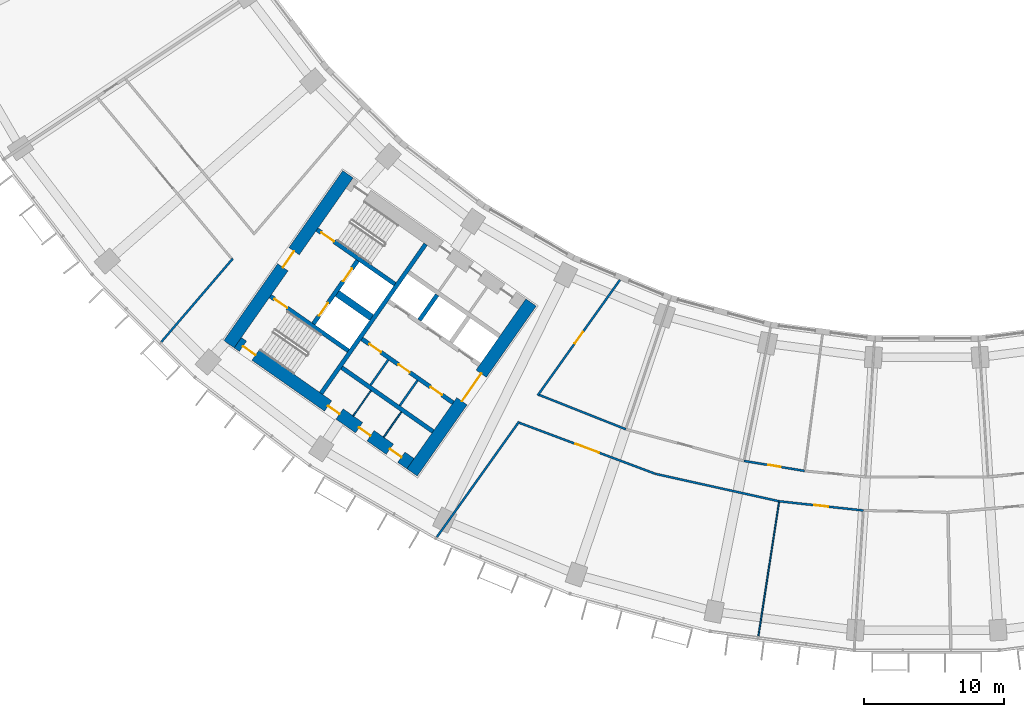
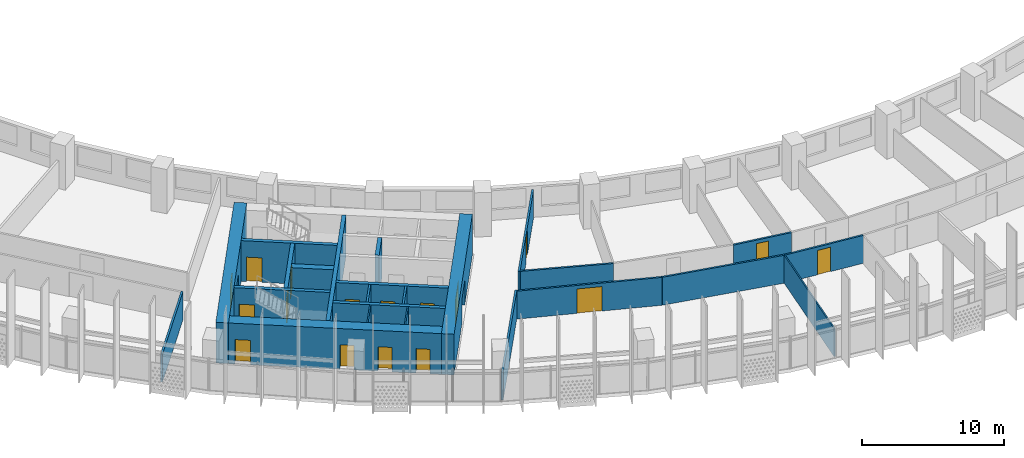
# One storey, part 3 of 30: 24 walls, 17 doors, 17 openings.
"""IFC4 building model written with IfcOpenShell, lengths in metres."""

from ifc_helpers import new_model, si_unit, direction, frame, frame_2d, origin, place, context, subcontext, project, spatial, rectangle, extrude, material, layer, layer_set, type_object, element, fill, save


model = new_model("IFC4")

# Units and contexts
model_context = context("Model", 3, precision=1e-05, world=origin(), true_north=direction((0.0, 1.0)))
body_context = subcontext(model_context, "Body", "Model", "MODEL_VIEW")
ifc_project = project(units=[si_unit("LENGTHUNIT", "METRE"), si_unit("AREAUNIT", "SQUARE_METRE"), si_unit("VOLUMEUNIT", "CUBIC_METRE"), si_unit("PLANEANGLEUNIT", "RADIAN"), si_unit("MASSUNIT", "GRAM", prefix="KILO")], contexts=[model_context])

# Site, building, storey
site_placement = place(None, origin())
site = spatial("IfcSite", under=ifc_project, at=site_placement, CompositionType="ELEMENT")
building_placement = place(site_placement, origin())
building = spatial("IfcBuilding", under=site, at=building_placement, Name="Qamariyya Broadcast Tower", CompositionType="ELEMENT")
storey_placement = place(building_placement, frame((0.0, 0.0, 110.10009765625)))
storey = spatial("IfcBuildingStorey", under=building, at=storey_placement, Name="L24", CompositionType="ELEMENT", Elevation=110.10009765625)

# Wall, opening, door
ifc_material_1 = material(Name="Concrete C70/85", Category="concrete")
ifc_layer_1 = layer(ifc_material_1, 0.89990234375)
ifc_layer_set_1 = layer_set([ifc_layer_1], Name="Core wall 900 mm Concrete C70/85")
wall_type_1 = type_object("IfcWallType", Name="Core wall 900 mm Concrete C70/85", PredefinedType="SHEAR", material=ifc_layer_set_1)
wall_1_placement = place(storey_placement, frame((-36.716796875, -66.3369140625, 0.0), z_axis=(0.0, 0.0, 1.0), x_axis=(0.573577477574, 0.819151315216, 0.0)))
wall_1 = element("IfcWall", 1, at=wall_1_placement, inside=storey, type_object=wall_type_1, Name="k-W-L24-WA", PredefinedType="SHEAR", context=body_context, shape_type="SweptSolid", body=[
    extrude(rectangle(XDim=14.800048828125, YDim=0.89990234375, at=frame_2d((7.39990234375, 0.0))), origin(), (0.0, 0.0, 1.0), 3.5),
])
opening_1_placement = place(wall_1_placement, frame((6.199951171875, 0.0, 0.0)))
opening_1 = element("IfcOpeningElement", 2, at=opening_1_placement, cuts=wall_1, Name="Opening KD3-W1", PredefinedType="OPENING", context=body_context, shape_type="SweptSolid", body=[
    extrude(rectangle(XDim=2.39990234375, YDim=2.10009765625, at=frame_2d((1.199951171875, 1.050048828125))), frame((0.0, 0.4599609375, 0.0), z_axis=(0.0, -1.0, 0.0), x_axis=(1.0, 0.0, 0.0)), (0.0, 0.0, 1.0), 0.919921875),
])
ifc_material_2 = material(Name="Steel fire-resisting door leaf", Category="steel")
door_type_1 = type_object("IfcDoorType", Name="Lift lobby door KD3", OperationType="DOUBLE_DOOR_SINGLE_SWING", PredefinedType="DOOR", material=ifc_material_2)
door_1_placement = place(opening_1_placement, origin())
door_1 = element("IfcDoor", 3, at=door_1_placement, inside=storey, type_object=door_type_1, Name="k-W-L24-WA-D1", OperationType="DOUBLE_DOOR_SINGLE_SWING", OverallHeight=2.10009765625, OverallWidth=2.39990234375, PredefinedType="DOOR", context=body_context, shape_type="SweptSolid", body=[
    extrude(rectangle(XDim=2.39990234375, YDim=2.10009765625, at=frame_2d((1.199951171875, 1.050048828125))), frame((0.0, 0.02490234375, 0.0), z_axis=(0.0, -1.0, 0.0), x_axis=(1.0, 0.0, 0.0)), (0.0, 0.0, 1.0), 0.050048828125),
])
fill(opening_1, door_1)

wall_2_placement = place(storey_placement, frame((-49.778564453125, -57.191162109375, 0.0), z_axis=(0.0, 0.0, 1.0), x_axis=(0.573577477574, 0.819151315216, 0.0)))
wall_2 = element("IfcWall", 4, at=wall_2_placement, inside=storey, type_object=wall_type_1, Name="k-W-L24-WH", PredefinedType="SHEAR", context=body_context, shape_type="SweptSolid", body=[
    extrude(rectangle(XDim=14.800048828125, YDim=0.89990234375, at=frame_2d((7.39990234375, 0.0))), origin(), (0.0, 0.0, 1.0), 3.5),
])
opening_2_placement = place(wall_2_placement, frame((6.699951171875, 0.0, 0.0)))
opening_2 = element("IfcOpeningElement", 5, at=opening_2_placement, cuts=wall_2, Name="Opening KD2-W1", PredefinedType="OPENING", context=body_context, shape_type="SweptSolid", body=[
    extrude(rectangle(XDim=1.39990234375, YDim=2.10009765625, at=frame_2d((0.699951171875, 1.050048828125))), frame((0.0, 0.4599609375, 0.0), z_axis=(0.0, -1.0, 0.0), x_axis=(1.0, 0.0, 0.0)), (0.0, 0.0, 1.0), 0.919921875),
])
door_type_2 = type_object("IfcDoorType", Name="Fire-fighting lobby door KD2", OperationType="DOUBLE_DOOR_SINGLE_SWING", PredefinedType="DOOR", material=ifc_material_2)
door_2_placement = place(opening_2_placement, origin())
door_2 = element("IfcDoor", 6, at=door_2_placement, inside=storey, type_object=door_type_2, Name="k-W-L24-WH-D16", OperationType="DOUBLE_DOOR_SINGLE_SWING", OverallHeight=2.10009765625, OverallWidth=1.39990234375, PredefinedType="DOOR", context=body_context, shape_type="SweptSolid", body=[
    extrude(rectangle(XDim=1.39990234375, YDim=2.10009765625, at=frame_2d((0.699951171875, 1.050048828125))), frame((0.0, 0.02490234375, 0.0), z_axis=(0.0, -1.0, 0.0), x_axis=(1.0, 0.0, 0.0)), (0.0, 0.0, 1.0), 0.050048828125),
])
fill(opening_2, door_2)

# Wall, openings, doors
wall_3_placement = place(storey_placement, frame((-36.827392578125, -65.710205078125, 0.0), z_axis=(0.0, 0.0, 1.0), x_axis=(-0.819153391756, 0.573574511963, 0.0)))
wall_3 = element("IfcWall", 7, at=wall_3_placement, inside=storey, type_object=wall_type_1, Name="k-W-L24-WO", PredefinedType="SHEAR", context=body_context, shape_type="SweptSolid", body=[
    extrude(rectangle(XDim=15.04541015625, YDim=0.89990234375, at=frame_2d((7.522705078125, 0.0))), origin(), (0.0, 0.0, 1.0), 3.5),
])
opening_3_placement = place(wall_3_placement, frame((0.800048828125, 0.0, 0.0)))
opening_3 = element("IfcOpeningElement", 8, at=opening_3_placement, cuts=wall_3, Name="Opening KD4-W2", PredefinedType="OPENING", context=body_context, shape_type="SweptSolid", body=[
    extrude(rectangle(XDim=1.0, YDim=2.10009765625, at=frame_2d((0.5, 1.050048828125))), frame((0.0, 0.4599609375, 0.0), z_axis=(0.0, -1.0, 0.0), x_axis=(1.0, 0.0, 0.0)), (0.0, 0.0, 1.0), 0.919921875),
])
opening_4_placement = place(wall_3_placement, frame((3.47509765625, 0.0, 0.0)))
opening_4 = element("IfcOpeningElement", 9, at=opening_4_placement, cuts=wall_3, Name="Opening KD4-W3", PredefinedType="OPENING", context=body_context, shape_type="SweptSolid", body=[
    extrude(rectangle(XDim=1.0, YDim=2.10009765625, at=frame_2d((0.5, 1.050048828125))), frame((0.0, 0.4599609375, 0.0), z_axis=(0.0, -1.0, 0.0), x_axis=(1.0, 0.0, 0.0)), (0.0, 0.0, 1.0), 0.919921875),
])
opening_5_placement = place(wall_3_placement, frame((6.175048828125, 0.0, 0.0)))
opening_5 = element("IfcOpeningElement", 10, at=opening_5_placement, cuts=wall_3, Name="Opening KD4-W4", PredefinedType="OPENING", context=body_context, shape_type="SweptSolid", body=[
    extrude(rectangle(XDim=1.0, YDim=2.10009765625, at=frame_2d((0.5, 1.050048828125))), frame((0.0, 0.4599609375, 0.0), z_axis=(0.0, -1.0, 0.0), x_axis=(1.0, 0.0, 0.0)), (0.0, 0.0, 1.0), 0.919921875),
])
opening_6_placement = place(wall_3_placement, frame((13.495361328125, 0.0, 0.0)))
opening_6 = element("IfcOpeningElement", 11, at=opening_6_placement, cuts=wall_3, Name="Opening KD1-W3", PredefinedType="OPENING", context=body_context, shape_type="SweptSolid", body=[
    extrude(rectangle(XDim=1.10009765625, YDim=2.10009765625, at=frame_2d((0.550048828125, 1.050048828125))), frame((0.0, 0.4599609375, 0.0), z_axis=(0.0, -1.0, 0.0), x_axis=(1.0, 0.0, 0.0)), (0.0, 0.0, 1.0), 0.919921875),
])
door_type_3 = type_object("IfcDoorType", Name="Riser and plant door KD4", OperationType="SINGLE_SWING_LEFT", PredefinedType="DOOR", material=ifc_material_2)
door_3_placement = place(opening_3_placement, origin())
door_3 = element("IfcDoor", 12, at=door_3_placement, inside=storey, type_object=door_type_3, Name="k-W-L24-WO-D11", OperationType="SINGLE_SWING_RIGHT", OverallHeight=2.10009765625, OverallWidth=1.0, PredefinedType="DOOR", context=body_context, shape_type="SweptSolid", body=[
    extrude(rectangle(XDim=1.0, YDim=2.10009765625, at=frame_2d((0.5, 1.050048828125))), frame((0.0, 0.02490234375, 0.0), z_axis=(0.0, -1.0, 0.0), x_axis=(1.0, 0.0, 0.0)), (0.0, 0.0, 1.0), 0.050048828125),
])
fill(opening_3, door_3)
door_4_placement = place(opening_4_placement, origin())
door_4 = element("IfcDoor", 13, at=door_4_placement, inside=storey, type_object=door_type_3, Name="k-W-L24-WO-D12", OperationType="SINGLE_SWING_LEFT", OverallHeight=2.10009765625, OverallWidth=1.0, PredefinedType="DOOR", context=body_context, shape_type="SweptSolid", body=[
    extrude(rectangle(XDim=1.0, YDim=2.10009765625, at=frame_2d((0.5, 1.050048828125))), frame((0.0, 0.02490234375, 0.0), z_axis=(0.0, -1.0, 0.0), x_axis=(1.0, 0.0, 0.0)), (0.0, 0.0, 1.0), 0.050048828125),
])
fill(opening_4, door_4)
door_5_placement = place(opening_5_placement, origin())
door_5 = element("IfcDoor", 14, at=door_5_placement, inside=storey, type_object=door_type_3, Name="k-W-L24-WO-D13", OperationType="SINGLE_SWING_RIGHT", OverallHeight=2.10009765625, OverallWidth=1.0, PredefinedType="DOOR", context=body_context, shape_type="SweptSolid", body=[
    extrude(rectangle(XDim=1.0, YDim=2.10009765625, at=frame_2d((0.5, 1.050048828125))), frame((0.0, 0.02490234375, 0.0), z_axis=(0.0, -1.0, 0.0), x_axis=(1.0, 0.0, 0.0)), (0.0, 0.0, 1.0), 0.050048828125),
])
fill(opening_5, door_5)
door_type_4 = type_object("IfcDoorType", Name="Stair door KD1", OperationType="SINGLE_SWING_LEFT", PredefinedType="DOOR", material=ifc_material_2)
door_6_placement = place(opening_6_placement, origin())
door_6 = element("IfcDoor", 15, at=door_6_placement, inside=storey, type_object=door_type_4, Name="k-W-L24-WO-D19", OperationType="SINGLE_SWING_LEFT", OverallHeight=2.10009765625, OverallWidth=1.10009765625, PredefinedType="DOOR", context=body_context, shape_type="SweptSolid", body=[
    extrude(rectangle(XDim=1.10009765625, YDim=2.10009765625, at=frame_2d((0.550048828125, 1.050048828125))), frame((0.0, 0.02490234375, 0.0), z_axis=(0.0, -1.0, 0.0), x_axis=(1.0, 0.0, 0.0)), (0.0, 0.0, 1.0), 0.050048828125),
])
fill(opening_6, door_6)

# Walls
ifc_material_3 = material(Name="Gypsum board partition")
ifc_layer_2 = layer(ifc_material_3, 0.14990234375)
ifc_layer_set_2 = layer_set([ifc_layer_2], Name="Corridor partition 150 EI 60")
wall_type_2 = type_object("IfcWallType", Name="Corridor partition 150 EI 60", PredefinedType="PARTITIONING", material=ifc_layer_set_2)
wall_4_placement = place(storey_placement, frame((-49.498779296875, -51.074951171875, 0.0), z_axis=(0.0, 0.0, 1.0), x_axis=(-0.65099144956, -0.759085062823, 0.0)))
element("IfcWall", 16, at=wall_4_placement, inside=storey, type_object=wall_type_2, Name="Partition L24-005", PredefinedType="PARTITIONING", context=body_context, shape_type="SweptSolid", body=[
    extrude(rectangle(XDim=7.83740234375, YDim=0.14990234375, at=frame_2d((3.918701171875, 0.0))), origin(), (0.0, 0.0, 1.0), 2.39990234375),
])
wall_5_placement = place(storey_placement, frame((-29.083984375, -62.710205078125, 0.0), z_axis=(0.0, 0.0, 1.0), x_axis=(-0.580031092611, -0.814594335608, 0.0)))
element("IfcWall", 17, at=wall_5_placement, inside=storey, type_object=wall_type_2, Name="Partition L24-008", PredefinedType="PARTITIONING", context=body_context, shape_type="SweptSolid", body=[
    extrude(rectangle(XDim=10.126220703125, YDim=0.14990234375, at=frame_2d((5.06298828125, 0.0))), origin(), (0.0, 0.0, 1.0), 2.39990234375),
])

# Wall, opening, door
wall_6_placement = place(storey_placement, frame((-19.373779296875, -66.431884765625, 0.0), z_axis=(0.0, 0.0, 1.0), x_axis=(-0.936236021316, 0.351371758101, 0.0)))
wall_6 = element("IfcWall", 18, at=wall_6_placement, inside=storey, type_object=wall_type_2, Name="Partition L24-009", PredefinedType="PARTITIONING", context=body_context, shape_type="SweptSolid", body=[
    extrude(rectangle(XDim=10.343017578125, YDim=0.14990234375, at=frame_2d((5.17138671875, 0.0))), origin(), (0.0, 0.0, 1.0), 2.39990234375),
])
opening_7_placement = place(wall_6_placement, frame((4.271484375, 0.0, 0.0)))
opening_7 = element("IfcOpeningElement", 19, at=opening_7_placement, cuts=wall_6, Name="Opening L24-D01", PredefinedType="OPENING", context=body_context, shape_type="SweptSolid", body=[
    extrude(rectangle(XDim=1.800048828125, YDim=2.10009765625, at=frame_2d((0.89990234375, 1.050048828125))), frame((0.0, 0.0849609375, 0.0), z_axis=(0.0, -1.0, 0.0), x_axis=(1.0, 0.0, 0.0)), (0.0, 0.0, 1.0), 0.169921875),
])
ifc_material_4 = material(Name="Timber fire door leaf", Category="wood")
door_type_5 = type_object("IfcDoorType", Name="Double fire door 1800 x 2100 FD60", OperationType="NOTDEFINED", PredefinedType="DOOR", material=ifc_material_4)
door_7_placement = place(opening_7_placement, origin())
door_7 = element("IfcDoor", 20, at=door_7_placement, inside=storey, type_object=door_type_5, Name="Door L24-D01", OperationType="DOUBLE_DOOR_SINGLE_SWING", OverallHeight=2.10009765625, OverallWidth=1.800048828125, PredefinedType="DOOR", context=body_context, shape_type="SweptSolid", body=[
    extrude(rectangle(XDim=1.800048828125, YDim=2.10009765625, at=frame_2d((0.89990234375, 1.050048828125))), frame((0.0, 0.02490234375, 0.0), z_axis=(0.0, -1.0, 0.0), x_axis=(1.0, 0.0, 0.0)), (0.0, 0.0, 1.0), 0.050048828125),
])
fill(opening_7, door_7)

# Wall
wall_7_placement = place(storey_placement, frame((-27.640869140625, -60.808837890625, 0.0), z_axis=(0.0, 0.0, 1.0), x_axis=(0.929586380114, -0.368604343308, 0.0)))
element("IfcWall", 21, at=wall_7_placement, inside=storey, type_object=wall_type_2, Name="Partition L24-010", PredefinedType="PARTITIONING", context=body_context, shape_type="SweptSolid", body=[
    extrude(rectangle(XDim=6.635986328125, YDim=0.14990234375, at=frame_2d((3.31787109375, 0.0))), origin(), (0.0, 0.0, 1.0), 2.39990234375),
])

# Wall, opening, door
wall_8_placement = place(storey_placement, frame((-21.8837890625, -52.59765625, 0.0), z_axis=(0.0, 0.0, 1.0), x_axis=(-0.580016763963, -0.814604538118, 0.0)))
wall_8 = element("IfcWall", 22, at=wall_8_placement, inside=storey, type_object=wall_type_2, Name="Partition L24-011", PredefinedType="PARTITIONING", context=body_context, shape_type="SweptSolid", body=[
    extrude(rectangle(XDim=10.12109375, YDim=0.14990234375, at=frame_2d((5.060546875, 0.0))), origin(), (0.0, 0.0, 1.0), 2.39990234375),
])
opening_8_placement = place(wall_8_placement, frame((4.560546875, 0.0, 0.0)))
opening_8 = element("IfcOpeningElement", 23, at=opening_8_placement, cuts=wall_8, Name="Opening L24-D08", PredefinedType="OPENING", context=body_context, shape_type="SweptSolid", body=[
    extrude(rectangle(XDim=1.0, YDim=2.10009765625, at=frame_2d((0.5, 1.050048828125))), frame((0.0, 0.0849609375, 0.0), z_axis=(0.0, -1.0, 0.0), x_axis=(1.0, 0.0, 0.0)), (0.0, 0.0, 1.0), 0.169921875),
])
door_type_6 = type_object("IfcDoorType", Name="Fire door 1000 x 2100 FD60", OperationType="NOTDEFINED", PredefinedType="DOOR", material=ifc_material_4)
door_8_placement = place(opening_8_placement, origin())
door_8 = element("IfcDoor", 24, at=door_8_placement, inside=storey, type_object=door_type_6, Name="Door L24-D08", OperationType="SINGLE_SWING_RIGHT", OverallHeight=2.10009765625, OverallWidth=1.0, PredefinedType="DOOR", context=body_context, shape_type="SweptSolid", body=[
    extrude(rectangle(XDim=1.0, YDim=2.10009765625, at=frame_2d((0.5, 1.050048828125))), frame((0.0, 0.02490234375, 0.0), z_axis=(0.0, -1.0, 0.0), x_axis=(1.0, 0.0, 0.0)), (0.0, 0.0, 1.0), 0.050048828125),
])
fill(opening_8, door_8)

# Wall
wall_9_placement = place(storey_placement, frame((-19.35791015625, -66.436767578125, 0.0), z_axis=(0.0, 0.0, 1.0), x_axis=(0.97629238904, -0.216455933396, 0.0)))
element("IfcWall", 25, at=wall_9_placement, inside=storey, type_object=wall_type_2, Name="Partition L24-013", PredefinedType="PARTITIONING", context=body_context, shape_type="SweptSolid", body=[
    extrude(rectangle(XDim=9.04345703125, YDim=0.14990234375, at=frame_2d((4.521728515625, 0.0))), origin(), (0.0, 0.0, 1.0), 2.39990234375),
])

# Wall, opening, door
wall_10_placement = place(storey_placement, frame((-13.031982421875, -65.516357421875, 0.0), z_axis=(0.0, 0.0, 1.0), x_axis=(0.986638873051, -0.162922479065, 0.0)))
wall_10 = element("IfcWall", 26, at=wall_10_placement, inside=storey, type_object=wall_type_2, Name="Partition L24-015", PredefinedType="PARTITIONING", context=body_context, shape_type="SweptSolid", body=[
    extrude(rectangle(XDim=4.37109375, YDim=0.14990234375, at=frame_2d((2.185546875, 0.0))), origin(), (0.0, 0.0, 1.0), 2.39990234375),
])
opening_9_placement = place(wall_10_placement, frame((1.735595703125, 0.0, 0.0)))
opening_9 = element("IfcOpeningElement", 27, at=opening_9_placement, cuts=wall_10, Name="Opening L24-D10", PredefinedType="OPENING", context=body_context, shape_type="SweptSolid", body=[
    extrude(rectangle(XDim=0.89990234375, YDim=2.10009765625, at=frame_2d((0.449951171875, 1.050048828125))), frame((0.0, 0.0849609375, 0.0), z_axis=(0.0, -1.0, 0.0), x_axis=(1.0, 0.0, 0.0)), (0.0, 0.0, 1.0), 0.169921875),
])
door_type_7 = type_object("IfcDoorType", Name="Fire door 900 x 2100 FD60", OperationType="NOTDEFINED", PredefinedType="DOOR", material=ifc_material_4)
door_9_placement = place(opening_9_placement, origin())
door_9 = element("IfcDoor", 28, at=door_9_placement, inside=storey, type_object=door_type_7, Name="Door L24-D10", OperationType="SINGLE_SWING_RIGHT", OverallHeight=2.10009765625, OverallWidth=0.89990234375, PredefinedType="DOOR", context=body_context, shape_type="SweptSolid", body=[
    extrude(rectangle(XDim=0.89990234375, YDim=2.10009765625, at=frame_2d((0.449951171875, 1.050048828125))), frame((0.0, 0.02490234375, 0.0), z_axis=(0.0, -1.0, 0.0), x_axis=(1.0, 0.0, 0.0)), (0.0, 0.0, 1.0), 0.050048828125),
])
fill(opening_9, door_9)

wall_11_placement = place(storey_placement, frame((-4.52587890625, -69.0517578125, 0.0), z_axis=(0.0, 0.0, 1.0), x_axis=(-0.994055567966, 0.108873907782, 0.0)))
wall_11 = element("IfcWall", 29, at=wall_11_placement, inside=storey, type_object=wall_type_2, Name="Partition L24-018", PredefinedType="PARTITIONING", context=body_context, shape_type="SweptSolid", body=[
    extrude(rectangle(XDim=6.038818359375, YDim=0.14990234375, at=frame_2d((3.01953125, 0.0))), origin(), (0.0, 0.0, 1.0), 2.39990234375),
])
opening_10_placement = place(wall_11_placement, frame((2.51953125, 0.0, 0.0)))
opening_10 = element("IfcOpeningElement", 30, at=opening_10_placement, cuts=wall_11, Name="Opening L24-D02", PredefinedType="OPENING", context=body_context, shape_type="SweptSolid", body=[
    extrude(rectangle(XDim=1.0, YDim=2.10009765625, at=frame_2d((0.5, 1.050048828125))), frame((0.0, 0.0849609375, 0.0), z_axis=(0.0, -1.0, 0.0), x_axis=(1.0, 0.0, 0.0)), (0.0, 0.0, 1.0), 0.169921875),
])
door_10_placement = place(opening_10_placement, origin())
door_10 = element("IfcDoor", 31, at=door_10_placement, inside=storey, type_object=door_type_6, Name="Door L24-D02", OperationType="SINGLE_SWING_RIGHT", OverallHeight=2.10009765625, OverallWidth=1.0, PredefinedType="DOOR", context=body_context, shape_type="SweptSolid", body=[
    extrude(rectangle(XDim=1.0, YDim=2.10009765625, at=frame_2d((0.5, 1.050048828125))), frame((0.0, 0.02490234375, 0.0), z_axis=(0.0, -1.0, 0.0), x_axis=(1.0, 0.0, 0.0)), (0.0, 0.0, 1.0), 0.050048828125),
])
fill(opening_10, door_10)

# Walls
ifc_material_5 = material(Name="Concrete C60/75", Category="concrete")
ifc_layer_3 = layer(ifc_material_5, 0.5)
ifc_layer_set_3 = layer_set([ifc_layer_3], Name="Fire-fighting lobby divider wall 500 mm Concrete C60/75")
wall_type_3 = type_object("IfcWallType", Name="Fire-fighting lobby divider wall 500 mm Concrete C60/75", PredefinedType="SOLIDWALL", material=ifc_layer_set_3)
wall_12_placement = place(storey_placement, frame((-39.59912109375, -55.28515625, 0.0), z_axis=(0.0, 0.0, 1.0), x_axis=(-0.819136323161, 0.573598887793, 0.0)))
element("IfcWall", 32, at=wall_12_placement, inside=storey, type_object=wall_type_3, Name="k-W-L24-FD", PredefinedType="SOLIDWALL", context=body_context, shape_type="SweptSolid", body=[
    extrude(rectangle(XDim=2.999755859375, YDim=0.5, at=frame_2d((1.5, 0.0))), origin(), (0.0, 0.0, 1.0), 3.5),
])
ifc_material_6 = material(Name="Gypsum board partition on steel studs", Category="steel")
ifc_layer_4 = layer(ifc_material_6, 0.14990234375)
ifc_layer_set_4 = layer_set([ifc_layer_4], Name="Gypsum board partition 150 mm")
wall_type_4 = type_object("IfcWallType", Name="Gypsum board partition 150 mm", PredefinedType="PARTITIONING", material=ifc_layer_set_4)
for number, where, z_axis, x_axis, name in (
    (33, (-36.330810546875, -59.77099609375, 0.0), (0.0, 0.0, 1.0), (-0.573633636671, -0.819111989218, 0.0), "k-W-L24-SC300"),
    (34, (-38.419677734375, -58.308349609375, 0.0), (0.0, 0.0, 1.0), (-0.573633636671, -0.819111989218, 0.0), "k-W-L24-SC555"),
):
    element("IfcWall", number, at=place(storey_placement, frame(where, z_axis=z_axis, x_axis=x_axis)), inside=storey, type_object=wall_type_4, Name=name, PredefinedType="PARTITIONING", context=body_context, shape_type="SweptSolid", body=[
        extrude(rectangle(XDim=2.199951171875, YDim=0.14990234375, at=frame_2d((1.10009765625, 0.0))), origin(), (0.0, 0.0, 1.0), 3.5),
    ])
ifc_layer_5 = layer(ifc_material_5, 0.300048828125)
ifc_layer_set_5 = layer_set([ifc_layer_5], Name="Lift shaft wall 300 mm Concrete C60/75")
wall_type_5 = type_object("IfcWallType", Name="Lift shaft wall 300 mm Concrete C60/75", PredefinedType="SOLIDWALL", material=ifc_layer_set_5)
wall_13_placement = place(storey_placement, frame((-43.204345703125, -60.69580078125, 0.0), z_axis=(0.0, 0.0, 1.0), x_axis=(0.573571992966, 0.819155155563, 0.0)))
element("IfcWall", 35, at=wall_13_placement, inside=storey, type_object=wall_type_5, Name="k-W-L24-WL", PredefinedType="SOLIDWALL", context=body_context, shape_type="SweptSolid", body=[
    extrude(rectangle(XDim=13.000244140625, YDim=0.300048828125, at=frame_2d((6.5, 0.0))), origin(), (0.0, 0.0, 1.0), 3.5),
])
wall_14_placement = place(storey_placement, frame((-36.19091796875, -55.47412109375, 0.0), z_axis=(0.0, 0.0, 1.0), x_axis=(0.573507030513, 0.819200638399, 0.0)))
element("IfcWall", 36, at=wall_14_placement, inside=storey, type_object=wall_type_5, Name="k-W-L24-ND1", PredefinedType="SOLIDWALL", context=body_context, shape_type="SweptSolid", body=[
    extrude(rectangle(XDim=2.199951171875, YDim=0.300048828125, at=frame_2d((1.10009765625, 0.0))), origin(), (0.0, 0.0, 1.0), 3.5),
])

# Wall, openings, doors
wall_15_placement = place(storey_placement, frame((-33.787353515625, -61.368896484375, 0.0), z_axis=(0.0, 0.0, 1.0), x_axis=(-0.819152564888, 0.573575692858, 0.0)))
wall_15 = element("IfcWall", 37, at=wall_15_placement, inside=storey, type_object=wall_type_5, Name="k-W-L24-SF0", PredefinedType="SOLIDWALL", context=body_context, shape_type="SweptSolid", body=[
    extrude(rectangle(XDim=7.9501953125, YDim=0.300048828125, at=frame_2d((3.97509765625, 0.0))), origin(), (0.0, 0.0, 1.0), 3.5),
])
opening_11_placement = place(wall_15_placement, frame((0.96240234375, 0.0, 0.0)))
opening_11 = element("IfcOpeningElement", 38, at=opening_11_placement, cuts=wall_15, Name="Opening KD6-W1", PredefinedType="OPENING", context=body_context, shape_type="SweptSolid", body=[
    extrude(rectangle(XDim=1.0, YDim=2.10009765625, at=frame_2d((0.5, 1.050048828125))), frame((0.0, 0.159912109375, 0.0), z_axis=(0.0, -1.0, 0.0), x_axis=(1.0, 0.0, 0.0)), (0.0, 0.0, 1.0), 0.320068359375),
])
opening_12_placement = place(wall_15_placement, frame((3.77490234375, 0.0, 0.0)))
opening_12 = element("IfcOpeningElement", 39, at=opening_12_placement, cuts=wall_15, Name="Opening KD4-W1", PredefinedType="OPENING", context=body_context, shape_type="SweptSolid", body=[
    extrude(rectangle(XDim=1.0, YDim=2.10009765625, at=frame_2d((0.5, 1.050048828125))), frame((0.0, 0.159912109375, 0.0), z_axis=(0.0, -1.0, 0.0), x_axis=(1.0, 0.0, 0.0)), (0.0, 0.0, 1.0), 0.320068359375),
])
opening_13_placement = place(wall_15_placement, frame((6.28759765625, 0.0, 0.0)))
opening_13 = element("IfcOpeningElement", 40, at=opening_13_placement, cuts=wall_15, Name="Opening KD6-W2", PredefinedType="OPENING", context=body_context, shape_type="SweptSolid", body=[
    extrude(rectangle(XDim=1.0, YDim=2.10009765625, at=frame_2d((0.5, 1.050048828125))), frame((0.0, 0.159912109375, 0.0), z_axis=(0.0, -1.0, 0.0), x_axis=(1.0, 0.0, 0.0)), (0.0, 0.0, 1.0), 0.320068359375),
])
door_type_8 = type_object("IfcDoorType", Name="Core room door KD6", OperationType="SINGLE_SWING_LEFT", PredefinedType="DOOR", material=ifc_material_2)
door_11_placement = place(opening_11_placement, origin())
door_11 = element("IfcDoor", 41, at=door_11_placement, inside=storey, type_object=door_type_8, Name="k-W-L24-SF0-D5", OperationType="SINGLE_SWING_RIGHT", OverallHeight=2.10009765625, OverallWidth=1.0, PredefinedType="DOOR", context=body_context, shape_type="SweptSolid", body=[
    extrude(rectangle(XDim=1.0, YDim=2.10009765625, at=frame_2d((0.5, 1.050048828125))), frame((0.0, 0.02490234375, 0.0), z_axis=(0.0, -1.0, 0.0), x_axis=(1.0, 0.0, 0.0)), (0.0, 0.0, 1.0), 0.050048828125),
])
fill(opening_11, door_11)
door_12_placement = place(opening_13_placement, origin())
door_12 = element("IfcDoor", 42, at=door_12_placement, inside=storey, type_object=door_type_8, Name="k-W-L24-SF0-D7", OperationType="SINGLE_SWING_RIGHT", OverallHeight=2.10009765625, OverallWidth=1.0, PredefinedType="DOOR", context=body_context, shape_type="SweptSolid", body=[
    extrude(rectangle(XDim=1.0, YDim=2.10009765625, at=frame_2d((0.5, 1.050048828125))), frame((0.0, 0.02490234375, 0.0), z_axis=(0.0, -1.0, 0.0), x_axis=(1.0, 0.0, 0.0)), (0.0, 0.0, 1.0), 0.050048828125),
])
fill(opening_13, door_12)
door_13_placement = place(opening_12_placement, origin())
door_13 = element("IfcDoor", 43, at=door_13_placement, inside=storey, type_object=door_type_3, Name="k-W-L24-SF0-D6", OperationType="SINGLE_SWING_LEFT", OverallHeight=2.10009765625, OverallWidth=1.0, PredefinedType="DOOR", context=body_context, shape_type="SweptSolid", body=[
    extrude(rectangle(XDim=1.0, YDim=2.10009765625, at=frame_2d((0.5, 1.050048828125))), frame((0.0, 0.02490234375, 0.0), z_axis=(0.0, -1.0, 0.0), x_axis=(1.0, 0.0, 0.0)), (0.0, 0.0, 1.0), 0.050048828125),
])
fill(opening_12, door_13)

# Wall
wall_16_placement = place(storey_placement, frame((-35.22119140625, -63.41650390625, 0.0), z_axis=(0.0, 0.0, 1.0), x_axis=(-0.819166993208, 0.573555086491, 0.0)))
element("IfcWall", 44, at=wall_16_placement, inside=storey, type_object=wall_type_5, Name="k-W-L24-SB0", PredefinedType="SOLIDWALL", context=body_context, shape_type="SweptSolid", body=[
    extrude(rectangle(XDim=7.9501953125, YDim=0.300048828125, at=frame_2d((3.97509765625, 0.0))), origin(), (0.0, 0.0, 1.0), 3.5),
])

# Wall, opening, door
wall_17_placement = place(storey_placement, frame((-37.935546875, -52.90966796875, 0.0), z_axis=(0.0, 0.0, 1.0), x_axis=(-0.819147518138, 0.57358290031, 0.0)))
wall_17 = element("IfcWall", 45, at=wall_17_placement, inside=storey, type_object=wall_type_5, Name="k-W-L24-NW", PredefinedType="SOLIDWALL", context=body_context, shape_type="SweptSolid", body=[
    extrude(rectangle(XDim=6.79541015625, YDim=0.300048828125, at=frame_2d((3.397705078125, 0.0))), origin(), (0.0, 0.0, 1.0), 3.5),
])
opening_14_placement = place(wall_17_placement, frame((5.3203125, 0.0, 0.0)))
opening_14 = element("IfcOpeningElement", 46, at=opening_14_placement, cuts=wall_17, Name="Opening KD1-W2", PredefinedType="OPENING", context=body_context, shape_type="SweptSolid", body=[
    extrude(rectangle(XDim=1.10009765625, YDim=2.10009765625, at=frame_2d((0.550048828125, 1.050048828125))), frame((0.0, 0.159912109375, 0.0), z_axis=(0.0, -1.0, 0.0), x_axis=(1.0, 0.0, 0.0)), (0.0, 0.0, 1.0), 0.320068359375),
])
door_14_placement = place(opening_14_placement, origin())
door_14 = element("IfcDoor", 47, at=door_14_placement, inside=storey, type_object=door_type_4, Name="k-W-L24-NW-D18", OperationType="SINGLE_SWING_LEFT", OverallHeight=2.10009765625, OverallWidth=1.10009765625, PredefinedType="DOOR", context=body_context, shape_type="SweptSolid", body=[
    extrude(rectangle(XDim=1.10009765625, YDim=2.10009765625, at=frame_2d((0.550048828125, 1.050048828125))), frame((0.0, 0.02490234375, 0.0), z_axis=(0.0, -1.0, 0.0), x_axis=(1.0, 0.0, 0.0)), (0.0, 0.0, 1.0), 0.050048828125),
])
fill(opening_14, door_14)

wall_18_placement = place(storey_placement, frame((-41.262451171875, -57.66064453125, 0.0), z_axis=(0.0, 0.0, 1.0), x_axis=(-0.819164398642, 0.573558792102, 0.0)))
wall_18 = element("IfcWall", 48, at=wall_18_placement, inside=storey, type_object=wall_type_5, Name="k-W-L24-SW", PredefinedType="SOLIDWALL", context=body_context, shape_type="SweptSolid", body=[
    extrude(rectangle(XDim=6.795166015625, YDim=0.300048828125, at=frame_2d((3.3974609375, 0.0))), origin(), (0.0, 0.0, 1.0), 3.5),
])
opening_15_placement = place(wall_18_placement, frame((5.3203125, 0.0, 0.0)))
opening_15 = element("IfcOpeningElement", 49, at=opening_15_placement, cuts=wall_18, Name="Opening KD1-W4", PredefinedType="OPENING", context=body_context, shape_type="SweptSolid", body=[
    extrude(rectangle(XDim=1.10009765625, YDim=2.10009765625, at=frame_2d((0.550048828125, 1.050048828125))), frame((0.0, 0.159912109375, 0.0), z_axis=(0.0, -1.0, 0.0), x_axis=(1.0, 0.0, 0.0)), (0.0, 0.0, 1.0), 0.320068359375),
])
door_15_placement = place(opening_15_placement, origin())
door_15 = element("IfcDoor", 50, at=door_15_placement, inside=storey, type_object=door_type_4, Name="k-W-L24-SW-D20", OperationType="SINGLE_SWING_LEFT", OverallHeight=2.10009765625, OverallWidth=1.10009765625, PredefinedType="DOOR", context=body_context, shape_type="SweptSolid", body=[
    extrude(rectangle(XDim=1.10009765625, YDim=2.10009765625, at=frame_2d((0.550048828125, 1.050048828125))), frame((0.0, 0.02490234375, 0.0), z_axis=(0.0, -1.0, 0.0), x_axis=(1.0, 0.0, 0.0)), (0.0, 0.0, 1.0), 0.050048828125),
])
fill(opening_15, door_15)

# Wall, openings, doors
wall_19_placement = place(storey_placement, frame((-43.756591796875, -55.731201171875, 0.0), z_axis=(0.0, 0.0, 1.0), x_axis=(0.573536818435, 0.819179783625, 0.0)))
wall_19 = element("IfcWall", 51, at=wall_19_placement, inside=storey, type_object=wall_type_5, Name="k-W-L24-FF", PredefinedType="SOLIDWALL", context=body_context, shape_type="SweptSolid", body=[
    extrude(rectangle(XDim=5.500244140625, YDim=0.300048828125, at=frame_2d((2.75, 0.0))), origin(), (0.0, 0.0, 1.0), 3.5),
])
opening_16_placement = place(wall_19_placement, frame((0.699951171875, 0.0, 0.0)))
opening_16 = element("IfcOpeningElement", 52, at=opening_16_placement, cuts=wall_19, Name="Opening LD", PredefinedType="OPENING", context=body_context, shape_type="SweptSolid", body=[
    extrude(rectangle(XDim=1.10009765625, YDim=2.10009765625, at=frame_2d((0.550048828125, 1.050048828125))), frame((0.0, 0.159912109375, 0.0), z_axis=(0.0, -1.0, 0.0), x_axis=(1.0, 0.0, 0.0)), (0.0, 0.0, 1.0), 0.320068359375),
])
opening_17_placement = place(wall_19_placement, frame((3.699951171875, 0.0, 0.0)))
opening_17 = element("IfcOpeningElement", 53, at=opening_17_placement, cuts=wall_19, Name="Opening LD", PredefinedType="OPENING", context=body_context, shape_type="SweptSolid", body=[
    extrude(rectangle(XDim=1.10009765625, YDim=2.10009765625, at=frame_2d((0.550048828125, 1.050048828125))), frame((0.0, 0.159912109375, 0.0), z_axis=(0.0, -1.0, 0.0), x_axis=(1.0, 0.0, 0.0)), (0.0, 0.0, 1.0), 0.320068359375),
])
door_type_9 = type_object("IfcDoorType", Name="Lift landing door LD", OperationType="DOUBLE_DOOR_SLIDING", PredefinedType="DOOR", material=ifc_material_2)
door_16_placement = place(opening_16_placement, origin())
door_16 = element("IfcDoor", 54, at=door_16_placement, inside=storey, type_object=door_type_9, Name="k-W-L24-FF-D14", OperationType="DOUBLE_DOOR_SLIDING", OverallHeight=2.10009765625, OverallWidth=1.10009765625, PredefinedType="DOOR", context=body_context, shape_type="SweptSolid", body=[
    extrude(rectangle(XDim=1.10009765625, YDim=2.10009765625, at=frame_2d((0.550048828125, 1.050048828125))), frame((0.0, 0.02490234375, 0.0), z_axis=(0.0, -1.0, 0.0), x_axis=(1.0, 0.0, 0.0)), (0.0, 0.0, 1.0), 0.050048828125),
])
fill(opening_16, door_16)
door_17_placement = place(opening_17_placement, origin())
door_17 = element("IfcDoor", 55, at=door_17_placement, inside=storey, type_object=door_type_9, Name="k-W-L24-FF-D15", OperationType="DOUBLE_DOOR_SLIDING", OverallHeight=2.10009765625, OverallWidth=1.10009765625, PredefinedType="DOOR", context=body_context, shape_type="SweptSolid", body=[
    extrude(rectangle(XDim=1.10009765625, YDim=2.10009765625, at=frame_2d((0.550048828125, 1.050048828125))), frame((0.0, 0.02490234375, 0.0), z_axis=(0.0, -1.0, 0.0), x_axis=(1.0, 0.0, 0.0)), (0.0, 0.0, 1.0), 0.050048828125),
])
fill(opening_17, door_17)

# Walls
ifc_layer_6 = layer(ifc_material_3, 0.10009765625)
ifc_layer_set_6 = layer_set([ifc_layer_6], Name="Partition 100")
wall_type_6 = type_object("IfcWallType", Name="Partition 100", PredefinedType="PARTITIONING", material=ifc_layer_set_6)
wall_20_placement = place(storey_placement, frame((-12.01220703125, -78.030029296875, 0.0), z_axis=(0.0, 0.0, 1.0), x_axis=(0.152150105958, 0.988357397532, 0.0)))
element("IfcWall", 56, at=wall_20_placement, inside=storey, type_object=wall_type_6, Name="Partition L24-016", PredefinedType="PARTITIONING", context=body_context, shape_type="SweptSolid", body=[
    extrude(rectangle(XDim=9.674072265625, YDim=0.10009765625, at=frame_2d((4.8369140625, 0.0))), origin(), (0.0, 0.0, 1.0), 2.39990234375),
])
ifc_material_7 = material(Name="Fire-rated gypsum shaft liner on steel studs", Category="steel")
ifc_layer_7 = layer(ifc_material_7, 0.10009765625)
ifc_layer_set_7 = layer_set([ifc_layer_7], Name="Riser wall 100 mm")
wall_type_7 = type_object("IfcWallType", Name="Riser wall 100 mm", PredefinedType="PLUMBINGWALL", material=ifc_layer_set_7)
wall_21_placement = place(storey_placement, frame((-37.47802734375, -62.01953125, 0.0), z_axis=(0.0, 0.0, 1.0), x_axis=(-0.573581496053, -0.819148501424, 0.0)))
element("IfcWall", 57, at=wall_21_placement, inside=storey, type_object=wall_type_7, Name="k-W-L24-SP265", PredefinedType="PLUMBINGWALL", context=body_context, shape_type="SweptSolid", body=[
    extrude(rectangle(XDim=2.2001953125, YDim=0.10009765625, at=frame_2d((1.10009765625, 0.0))), origin(), (0.0, 0.0, 1.0), 3.5),
])
wall_22_placement = place(storey_placement, frame((-39.64892578125, -60.49951171875, 0.0), z_axis=(0.0, 0.0, 1.0), x_axis=(-0.573507030513, -0.819200638399, 0.0)))
element("IfcWall", 58, at=wall_22_placement, inside=storey, type_object=wall_type_7, Name="k-W-L24-SP530", PredefinedType="PLUMBINGWALL", context=body_context, shape_type="SweptSolid", body=[
    extrude(rectangle(XDim=2.199951171875, YDim=0.10009765625, at=frame_2d((1.10009765625, 0.0))), origin(), (0.0, 0.0, 1.0), 3.5),
])

save(model, "model.ifc")
